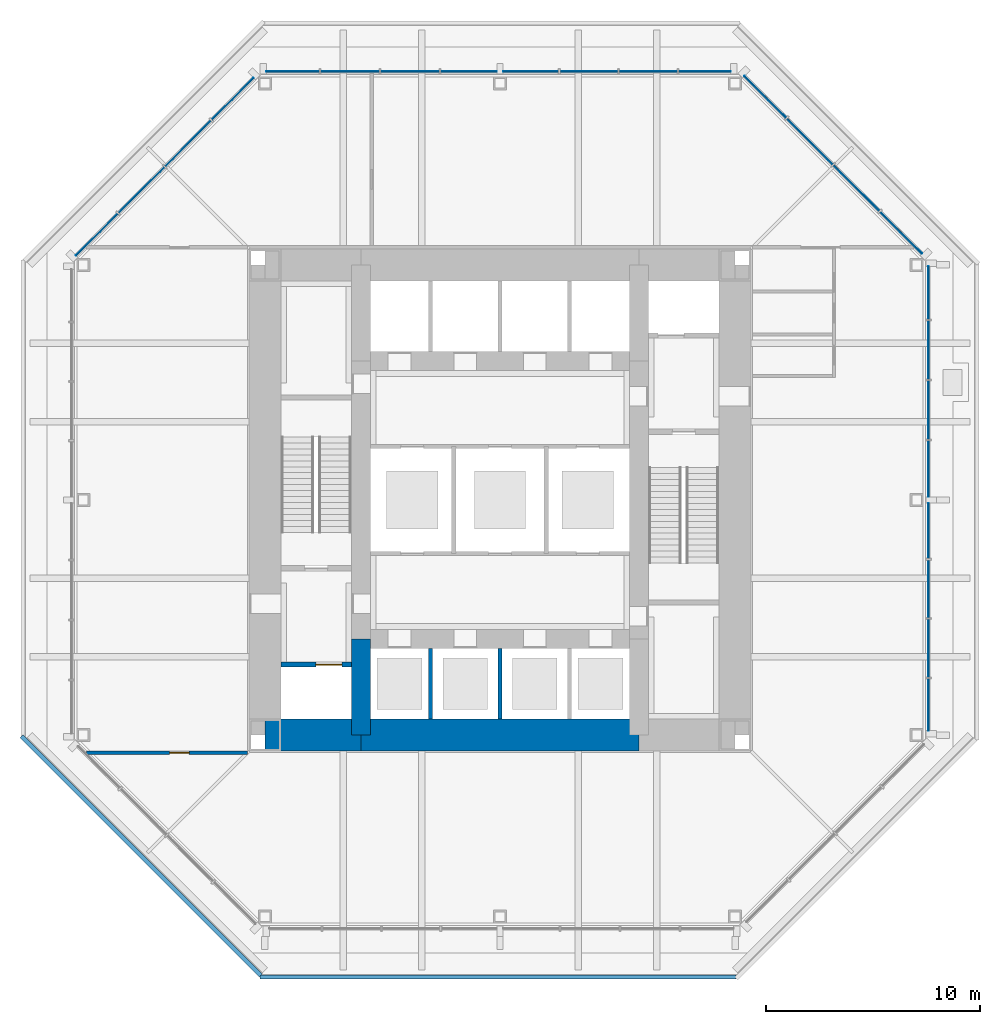
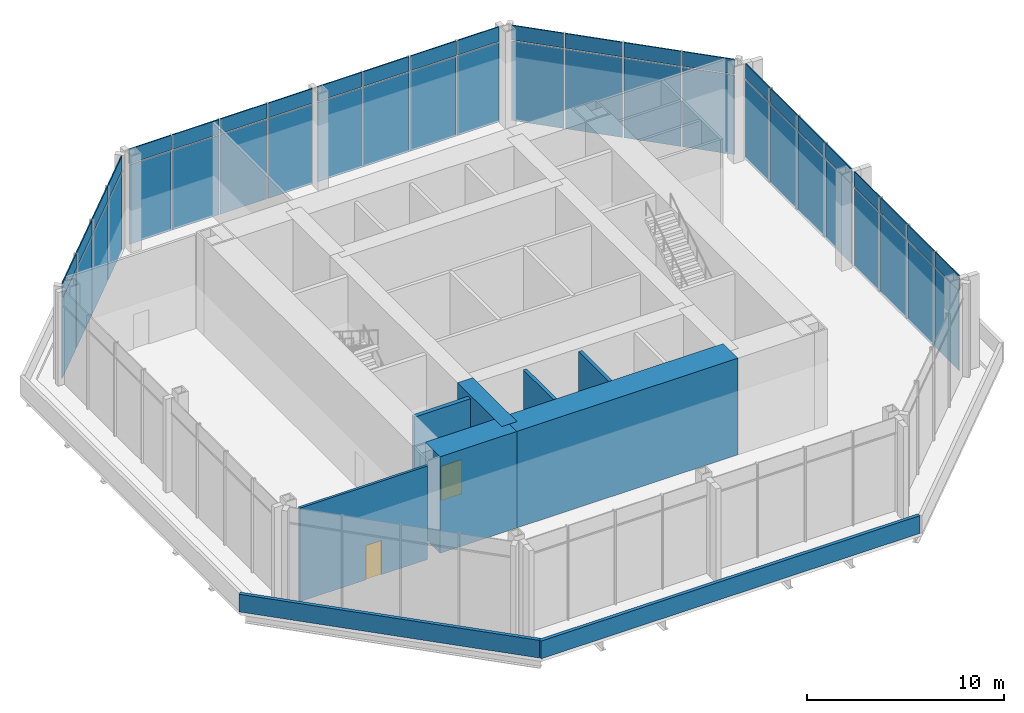
# One storey, part 6 of 10: 48 plates, 9 walls, 2 doors, 2 openings, 4 elements without a shape of their own.
"""IFC4 building model written with IfcOpenShell, lengths in metres."""

from ifc_helpers import new_model, si_unit, direction, frame, frame_2d, origin, origin_2d, place, context, subcontext, project, spatial, rectangle, extrude, material, layer, layer_set, type_object, element, fill, aggregate, save


model = new_model("IFC4")

# Units and contexts
model_context = context("Model", 3, precision=1e-05, world=origin(), true_north=direction((0.0, 1.0)))
body_context = subcontext(model_context, "Body", "Model", "MODEL_VIEW")
ifc_project = project(units=[si_unit("LENGTHUNIT", "METRE"), si_unit("AREAUNIT", "SQUARE_METRE"), si_unit("VOLUMEUNIT", "CUBIC_METRE"), si_unit("PLANEANGLEUNIT", "RADIAN"), si_unit("MASSUNIT", "GRAM", prefix="KILO")], contexts=[model_context])

# Site, building, storey
site_placement = place(None, origin())
site = spatial("IfcSite", under=ifc_project, at=site_placement, CompositionType="ELEMENT")
building_placement = place(site_placement, origin())
building = spatial("IfcBuilding", under=site, at=building_placement, Name="Trevanion Tower", CompositionType="ELEMENT")
storey_placement = place(building_placement, frame((0.0, 0.0, 184.699951171875)))
storey = spatial("IfcBuildingStorey", under=building, at=storey_placement, Name="L43", CompositionType="ELEMENT", Elevation=184.699951171875)

# Curtain wall, plates
ifc_material_1 = material(Name="Aluminium and glass", Category="aluminium")
curtain_wall_type = type_object("IfcCurtainWallType", Name="CW3 curtain wall", PredefinedType="USERDEFINED", material=ifc_material_1)
curtain_wall_1_placement = place(storey_placement, origin())
curtain_wall_1 = element("IfcCurtainWall", 1, at=curtain_wall_1_placement, inside=storey, type_object=curtain_wall_type, Name="CW3 L43 0", ObjectType="UNITISED CURTAIN WALL", PredefinedType="USERDEFINED")
ifc_material_2 = material(Name="Aluminium spandrel panel", Category="aluminium")
ifc_layer_1 = layer(ifc_material_2, 0.06005859375)
ifc_layer_set_1 = layer_set([ifc_layer_1], Name="CW3 spandrel panel")
plate_type_1 = type_object("IfcPlateType", Name="CW3 spandrel panel", PredefinedType="CURTAIN_PANEL", material=ifc_layer_set_1)
plate_1_placement = place(storey_placement, frame((20.050048828125, -9.579345703125, 4.8974609375), z_axis=(0.0, 0.0, 1.0), x_axis=(0.0, 1.0, 0.0)))
plate_1 = element("IfcPlate", 2, at=plate_1_placement, type_object=plate_type_1, Name="CW3 panel 1.2", PredefinedType="CURTAIN_PANEL", context=body_context, shape_type="SweptSolid", body=[
    extrude(rectangle(XDim=2.43701171875, YDim=0.06005859375, at=origin_2d()), origin(), (0.0, 0.0, 1.0), 0.91259765625),
])
plate_2_placement = place(storey_placement, frame((20.050048828125, -6.93603515625, 4.8974609375), z_axis=(0.0, 0.0, 1.0), x_axis=(0.0, 1.0, 0.0)))
plate_2 = element("IfcPlate", 3, at=plate_2_placement, type_object=plate_type_1, Name="CW3 panel 2.2", PredefinedType="CURTAIN_PANEL", context=body_context, shape_type="SweptSolid", body=[
    extrude(rectangle(XDim=2.699462890625, YDim=0.06005859375, at=origin_2d()), origin(), (0.0, 0.0, 1.0), 0.91259765625),
])
plate_3_placement = place(storey_placement, frame((20.050048828125, -4.16162109375, 4.8974609375), z_axis=(0.0, 0.0, 1.0), x_axis=(0.0, 1.0, 0.0)))
plate_3 = element("IfcPlate", 4, at=plate_3_placement, type_object=plate_type_1, Name="CW3 panel 3.2", PredefinedType="CURTAIN_PANEL", context=body_context, shape_type="SweptSolid", body=[
    extrude(rectangle(XDim=2.699462890625, YDim=0.06005859375, at=origin_2d()), origin(), (0.0, 0.0, 1.0), 0.91259765625),
])
plate_4_placement = place(storey_placement, frame((20.050048828125, -1.443603515625, 4.8974609375), z_axis=(0.0, 0.0, 1.0), x_axis=(0.0, 1.0, 0.0)))
plate_4 = element("IfcPlate", 5, at=plate_4_placement, type_object=plate_type_1, Name="CW3 panel 4.2", PredefinedType="CURTAIN_PANEL", context=body_context, shape_type="SweptSolid", body=[
    extrude(rectangle(XDim=2.5869140625, YDim=0.06005859375, at=origin_2d()), origin(), (0.0, 0.0, 1.0), 0.91259765625),
])
plate_5_placement = place(storey_placement, frame((20.050048828125, 1.459716796875, 4.8974609375), z_axis=(0.0, 0.0, 1.0), x_axis=(0.0, 1.0, 0.0)))
plate_5 = element("IfcPlate", 6, at=plate_5_placement, type_object=plate_type_1, Name="CW3 panel 5.2", PredefinedType="CURTAIN_PANEL", context=body_context, shape_type="SweptSolid", body=[
    extrude(rectangle(XDim=2.619384765625, YDim=0.06005859375, at=origin_2d()), origin(), (0.0, 0.0, 1.0), 0.91259765625),
])
plate_6_placement = place(storey_placement, frame((20.050048828125, 4.21044921875, 4.8974609375), z_axis=(0.0, 0.0, 1.0), x_axis=(0.0, 1.0, 0.0)))
plate_6 = element("IfcPlate", 7, at=plate_6_placement, type_object=plate_type_1, Name="CW3 panel 6.2", PredefinedType="CURTAIN_PANEL", context=body_context, shape_type="SweptSolid", body=[
    extrude(rectangle(XDim=2.73193359375, YDim=0.06005859375, at=origin_2d()), origin(), (0.0, 0.0, 1.0), 0.91259765625),
])
plate_7_placement = place(storey_placement, frame((20.050048828125, 7.017333984375, 4.8974609375), z_axis=(0.0, 0.0, 1.0), x_axis=(0.0, 1.0, 0.0)))
plate_7 = element("IfcPlate", 8, at=plate_7_placement, type_object=plate_type_1, Name="CW3 panel 7.2", PredefinedType="CURTAIN_PANEL", context=body_context, shape_type="SweptSolid", body=[
    extrude(rectangle(XDim=2.73193359375, YDim=0.06005859375, at=origin_2d()), origin(), (0.0, 0.0, 1.0), 0.91259765625),
])
plate_8_placement = place(storey_placement, frame((20.050048828125, 9.693115234375, 4.8974609375), z_axis=(0.0, 0.0, 1.0), x_axis=(0.0, 1.0, 0.0)))
plate_8 = element("IfcPlate", 9, at=plate_8_placement, type_object=plate_type_1, Name="CW3 panel 8.2", PredefinedType="CURTAIN_PANEL", context=body_context, shape_type="SweptSolid", body=[
    extrude(rectangle(XDim=2.469482421875, YDim=0.06005859375, at=origin_2d()), origin(), (0.0, 0.0, 1.0), 0.91259765625),
])

curtain_wall_2_placement = place(storey_placement, origin())
curtain_wall_2 = element("IfcCurtainWall", 10, at=curtain_wall_2_placement, inside=storey, type_object=curtain_wall_type, Name="CW3 L43 1", ObjectType="UNITISED CURTAIN WALL", PredefinedType="USERDEFINED")
plate_9_placement = place(storey_placement, frame((18.77392578125, 12.50390625, 4.8974609375), z_axis=(0.0, 0.0, 1.0), x_axis=(-0.707106781187, 0.707106781187, 0.0)))
plate_9 = element("IfcPlate", 11, at=plate_9_placement, type_object=plate_type_1, Name="CW3 panel 1.2", PredefinedType="CURTAIN_PANEL", context=body_context, shape_type="SweptSolid", body=[
    extrude(rectangle(XDim=2.7490234375, YDim=0.06005859375, at=origin_2d()), origin(), (0.0, 0.0, 1.0), 0.91259765625),
])
plate_10_placement = place(storey_placement, frame((16.68408203125, 14.593505859375, 4.8974609375), z_axis=(0.0, 0.0, 1.0), x_axis=(-0.707106781187, 0.707106781187, 0.0)))
plate_10 = element("IfcPlate", 12, at=plate_10_placement, type_object=plate_type_1, Name="CW3 panel 2.2", PredefinedType="CURTAIN_PANEL", context=body_context, shape_type="SweptSolid", body=[
    extrude(rectangle(XDim=3.01171875, YDim=0.06005859375, at=origin_2d()), origin(), (0.0, 0.0, 1.0), 0.91259765625),
])
plate_11_placement = place(storey_placement, frame((14.501708984375, 16.776123046875, 4.8974609375), z_axis=(0.0, 0.0, 1.0), x_axis=(-0.707106781187, 0.707106781187, 0.0)))
plate_11 = element("IfcPlate", 13, at=plate_11_placement, type_object=plate_type_1, Name="CW3 panel 3.2", PredefinedType="CURTAIN_PANEL", context=body_context, shape_type="SweptSolid", body=[
    extrude(rectangle(XDim=3.01171875, YDim=0.06005859375, at=origin_2d()), origin(), (0.0, 0.0, 1.0), 0.91259765625),
])
plate_12_placement = place(storey_placement, frame((12.411865234375, 18.865966796875, 4.8974609375), z_axis=(0.0, 0.0, 1.0), x_axis=(-0.707106781187, 0.707106781187, 0.0)))
plate_12 = element("IfcPlate", 14, at=plate_12_placement, type_object=plate_type_1, Name="CW3 panel 4.2", PredefinedType="CURTAIN_PANEL", context=body_context, shape_type="SweptSolid", body=[
    extrude(rectangle(XDim=2.7490234375, YDim=0.06005859375, at=origin_2d()), origin(), (0.0, 0.0, 1.0), 0.91259765625),
])

curtain_wall_3_placement = place(storey_placement, origin())
curtain_wall_3 = element("IfcCurtainWall", 15, at=curtain_wall_3_placement, inside=storey, type_object=curtain_wall_type, Name="CW3 L43 2", ObjectType="UNITISED CURTAIN WALL", PredefinedType="USERDEFINED")
plate_13_placement = place(storey_placement, frame((9.579345703125, 20.050048828125, 4.8974609375), z_axis=(0.0, 0.0, 1.0), x_axis=(-1.0, 0.0, 0.0)))
plate_13 = element("IfcPlate", 16, at=plate_13_placement, type_object=plate_type_1, Name="CW3 panel 1.2", PredefinedType="CURTAIN_PANEL", context=body_context, shape_type="SweptSolid", body=[
    extrude(rectangle(XDim=2.43701171875, YDim=0.06005859375, at=origin_2d()), origin(), (0.0, 0.0, 1.0), 0.91259765625),
])
plate_14_placement = place(storey_placement, frame((6.93603515625, 20.050048828125, 4.8974609375), z_axis=(0.0, 0.0, 1.0), x_axis=(-1.0, 0.0, 0.0)))
plate_14 = element("IfcPlate", 17, at=plate_14_placement, type_object=plate_type_1, Name="CW3 panel 2.2", PredefinedType="CURTAIN_PANEL", context=body_context, shape_type="SweptSolid", body=[
    extrude(rectangle(XDim=2.699462890625, YDim=0.06005859375, at=origin_2d()), origin(), (0.0, 0.0, 1.0), 0.91259765625),
])
plate_15_placement = place(storey_placement, frame((4.16162109375, 20.050048828125, 4.8974609375), z_axis=(0.0, 0.0, 1.0), x_axis=(-1.0, 0.0, 0.0)))
plate_15 = element("IfcPlate", 18, at=plate_15_placement, type_object=plate_type_1, Name="CW3 panel 3.2", PredefinedType="CURTAIN_PANEL", context=body_context, shape_type="SweptSolid", body=[
    extrude(rectangle(XDim=2.699462890625, YDim=0.06005859375, at=origin_2d()), origin(), (0.0, 0.0, 1.0), 0.91259765625),
])
plate_16_placement = place(storey_placement, frame((1.443603515625, 20.050048828125, 4.8974609375), z_axis=(0.0, 0.0, 1.0), x_axis=(-1.0, 0.0, 0.0)))
plate_16 = element("IfcPlate", 19, at=plate_16_placement, type_object=plate_type_1, Name="CW3 panel 4.2", PredefinedType="CURTAIN_PANEL", context=body_context, shape_type="SweptSolid", body=[
    extrude(rectangle(XDim=2.5869140625, YDim=0.06005859375, at=origin_2d()), origin(), (0.0, 0.0, 1.0), 0.91259765625),
])
plate_17_placement = place(storey_placement, frame((-1.459716796875, 20.050048828125, 4.8974609375), z_axis=(0.0, 0.0, 1.0), x_axis=(-1.0, 0.0, 0.0)))
plate_17 = element("IfcPlate", 20, at=plate_17_placement, type_object=plate_type_1, Name="CW3 panel 5.2", PredefinedType="CURTAIN_PANEL", context=body_context, shape_type="SweptSolid", body=[
    extrude(rectangle(XDim=2.619384765625, YDim=0.06005859375, at=origin_2d()), origin(), (0.0, 0.0, 1.0), 0.91259765625),
])
plate_18_placement = place(storey_placement, frame((-4.21044921875, 20.050048828125, 4.8974609375), z_axis=(0.0, 0.0, 1.0), x_axis=(-1.0, 0.0, 0.0)))
plate_18 = element("IfcPlate", 21, at=plate_18_placement, type_object=plate_type_1, Name="CW3 panel 6.2", PredefinedType="CURTAIN_PANEL", context=body_context, shape_type="SweptSolid", body=[
    extrude(rectangle(XDim=2.73193359375, YDim=0.06005859375, at=origin_2d()), origin(), (0.0, 0.0, 1.0), 0.91259765625),
])
plate_19_placement = place(storey_placement, frame((-7.017333984375, 20.050048828125, 4.8974609375), z_axis=(0.0, 0.0, 1.0), x_axis=(-1.0, 0.0, 0.0)))
plate_19 = element("IfcPlate", 22, at=plate_19_placement, type_object=plate_type_1, Name="CW3 panel 7.2", PredefinedType="CURTAIN_PANEL", context=body_context, shape_type="SweptSolid", body=[
    extrude(rectangle(XDim=2.73193359375, YDim=0.06005859375, at=origin_2d()), origin(), (0.0, 0.0, 1.0), 0.91259765625),
])
plate_20_placement = place(storey_placement, frame((-9.693115234375, 20.050048828125, 4.8974609375), z_axis=(0.0, 0.0, 1.0), x_axis=(-1.0, 0.0, 0.0)))
plate_20 = element("IfcPlate", 23, at=plate_20_placement, type_object=plate_type_1, Name="CW3 panel 8.2", PredefinedType="CURTAIN_PANEL", context=body_context, shape_type="SweptSolid", body=[
    extrude(rectangle(XDim=2.469482421875, YDim=0.06005859375, at=origin_2d()), origin(), (0.0, 0.0, 1.0), 0.91259765625),
])

curtain_wall_4_placement = place(storey_placement, origin())
curtain_wall_4 = element("IfcCurtainWall", 24, at=curtain_wall_4_placement, inside=storey, type_object=curtain_wall_type, Name="CW3 L43 3", ObjectType="UNITISED CURTAIN WALL", PredefinedType="USERDEFINED")
plate_21_placement = place(storey_placement, frame((-12.50390625, 18.77392578125, 4.8974609375), z_axis=(0.0, 0.0, 1.0), x_axis=(-0.707106781187, -0.707106781187, 0.0)))
plate_21 = element("IfcPlate", 25, at=plate_21_placement, type_object=plate_type_1, Name="CW3 panel 1.2", PredefinedType="CURTAIN_PANEL", context=body_context, shape_type="SweptSolid", body=[
    extrude(rectangle(XDim=2.7490234375, YDim=0.06005859375, at=origin_2d()), origin(), (0.0, 0.0, 1.0), 0.91259765625),
])
plate_22_placement = place(storey_placement, frame((-14.593505859375, 16.68408203125, 4.8974609375), z_axis=(0.0, 0.0, 1.0), x_axis=(-0.707106781187, -0.707106781187, 0.0)))
plate_22 = element("IfcPlate", 26, at=plate_22_placement, type_object=plate_type_1, Name="CW3 panel 2.2", PredefinedType="CURTAIN_PANEL", context=body_context, shape_type="SweptSolid", body=[
    extrude(rectangle(XDim=3.01171875, YDim=0.06005859375, at=origin_2d()), origin(), (0.0, 0.0, 1.0), 0.91259765625),
])
plate_23_placement = place(storey_placement, frame((-16.776123046875, 14.501708984375, 4.8974609375), z_axis=(0.0, 0.0, 1.0), x_axis=(-0.707106781187, -0.707106781187, 0.0)))
plate_23 = element("IfcPlate", 27, at=plate_23_placement, type_object=plate_type_1, Name="CW3 panel 3.2", PredefinedType="CURTAIN_PANEL", context=body_context, shape_type="SweptSolid", body=[
    extrude(rectangle(XDim=3.01171875, YDim=0.06005859375, at=origin_2d()), origin(), (0.0, 0.0, 1.0), 0.91259765625),
])
plate_24_placement = place(storey_placement, frame((-18.865966796875, 12.411865234375, 4.8974609375), z_axis=(0.0, 0.0, 1.0), x_axis=(-0.707106781187, -0.707106781187, 0.0)))
plate_24 = element("IfcPlate", 28, at=plate_24_placement, type_object=plate_type_1, Name="CW3 panel 4.2", PredefinedType="CURTAIN_PANEL", context=body_context, shape_type="SweptSolid", body=[
    extrude(rectangle(XDim=2.7490234375, YDim=0.06005859375, at=origin_2d()), origin(), (0.0, 0.0, 1.0), 0.91259765625),
])

# Plate
ifc_material_3 = material(Name="Insulating glass unit", Category="glass")
ifc_layer_2 = layer(ifc_material_3, 0.028076171875)
ifc_layer_set_2 = layer_set([ifc_layer_2], Name="CW3 vision panel")
plate_type_2 = type_object("IfcPlateType", Name="CW3 vision panel", PredefinedType="CURTAIN_PANEL", material=ifc_layer_set_2)
plate_25_placement = place(storey_placement, frame((20.050048828125, -9.579345703125, -0.114990234375), z_axis=(0.0, 0.0, 1.0), x_axis=(0.0, 1.0, 0.0)))
plate_25 = element("IfcPlate", 29, at=plate_25_placement, type_object=plate_type_2, Name="CW3 panel 1.1", PredefinedType="CURTAIN_PANEL", context=body_context, shape_type="SweptSolid", body=[
    extrude(rectangle(XDim=2.43701171875, YDim=0.028076171875, at=origin_2d()), origin(), (0.0, 0.0, 1.0), 4.9375),
])

plate_26_placement = place(storey_placement, frame((20.050048828125, -6.93603515625, -0.114990234375), z_axis=(0.0, 0.0, 1.0), x_axis=(0.0, 1.0, 0.0)))
plate_26 = element("IfcPlate", 30, at=plate_26_placement, type_object=plate_type_2, Name="CW3 panel 2.1", PredefinedType="CURTAIN_PANEL", context=body_context, shape_type="SweptSolid", body=[
    extrude(rectangle(XDim=2.699462890625, YDim=0.028076171875, at=origin_2d()), origin(), (0.0, 0.0, 1.0), 4.9375),
])

plate_27_placement = place(storey_placement, frame((20.050048828125, -4.16162109375, -0.114990234375), z_axis=(0.0, 0.0, 1.0), x_axis=(0.0, 1.0, 0.0)))
plate_27 = element("IfcPlate", 31, at=plate_27_placement, type_object=plate_type_2, Name="CW3 panel 3.1", PredefinedType="CURTAIN_PANEL", context=body_context, shape_type="SweptSolid", body=[
    extrude(rectangle(XDim=2.699462890625, YDim=0.028076171875, at=origin_2d()), origin(), (0.0, 0.0, 1.0), 4.9375),
])

plate_28_placement = place(storey_placement, frame((20.050048828125, -1.443603515625, -0.114990234375), z_axis=(0.0, 0.0, 1.0), x_axis=(0.0, 1.0, 0.0)))
plate_28 = element("IfcPlate", 32, at=plate_28_placement, type_object=plate_type_2, Name="CW3 panel 4.1", PredefinedType="CURTAIN_PANEL", context=body_context, shape_type="SweptSolid", body=[
    extrude(rectangle(XDim=2.5869140625, YDim=0.028076171875, at=origin_2d()), origin(), (0.0, 0.0, 1.0), 4.9375),
])

plate_29_placement = place(storey_placement, frame((20.050048828125, 1.459716796875, -0.114990234375), z_axis=(0.0, 0.0, 1.0), x_axis=(0.0, 1.0, 0.0)))
plate_29 = element("IfcPlate", 33, at=plate_29_placement, type_object=plate_type_2, Name="CW3 panel 5.1", PredefinedType="CURTAIN_PANEL", context=body_context, shape_type="SweptSolid", body=[
    extrude(rectangle(XDim=2.619384765625, YDim=0.028076171875, at=origin_2d()), origin(), (0.0, 0.0, 1.0), 4.9375),
])

plate_30_placement = place(storey_placement, frame((20.050048828125, 4.21044921875, -0.114990234375), z_axis=(0.0, 0.0, 1.0), x_axis=(0.0, 1.0, 0.0)))
plate_30 = element("IfcPlate", 34, at=plate_30_placement, type_object=plate_type_2, Name="CW3 panel 6.1", PredefinedType="CURTAIN_PANEL", context=body_context, shape_type="SweptSolid", body=[
    extrude(rectangle(XDim=2.73193359375, YDim=0.028076171875, at=origin_2d()), origin(), (0.0, 0.0, 1.0), 4.9375),
])

plate_31_placement = place(storey_placement, frame((20.050048828125, 7.017333984375, -0.114990234375), z_axis=(0.0, 0.0, 1.0), x_axis=(0.0, 1.0, 0.0)))
plate_31 = element("IfcPlate", 35, at=plate_31_placement, type_object=plate_type_2, Name="CW3 panel 7.1", PredefinedType="CURTAIN_PANEL", context=body_context, shape_type="SweptSolid", body=[
    extrude(rectangle(XDim=2.73193359375, YDim=0.028076171875, at=origin_2d()), origin(), (0.0, 0.0, 1.0), 4.9375),
])

plate_32_placement = place(storey_placement, frame((20.050048828125, 9.693115234375, -0.114990234375), z_axis=(0.0, 0.0, 1.0), x_axis=(0.0, 1.0, 0.0)))
plate_32 = element("IfcPlate", 36, at=plate_32_placement, type_object=plate_type_2, Name="CW3 panel 8.1", PredefinedType="CURTAIN_PANEL", context=body_context, shape_type="SweptSolid", body=[
    extrude(rectangle(XDim=2.469482421875, YDim=0.028076171875, at=origin_2d()), origin(), (0.0, 0.0, 1.0), 4.9375),
])

aggregate(curtain_wall_1, [plate_25, plate_1, plate_26, plate_2, plate_27, plate_3, plate_28, plate_4, plate_29, plate_5, plate_30, plate_6, plate_31, plate_7, plate_32, plate_8])

plate_33_placement = place(storey_placement, frame((18.77392578125, 12.50390625, -0.114990234375), z_axis=(0.0, 0.0, 1.0), x_axis=(-0.707106781187, 0.707106781187, 0.0)))
plate_33 = element("IfcPlate", 37, at=plate_33_placement, type_object=plate_type_2, Name="CW3 panel 1.1", PredefinedType="CURTAIN_PANEL", context=body_context, shape_type="SweptSolid", body=[
    extrude(rectangle(XDim=2.7490234375, YDim=0.028076171875, at=origin_2d()), origin(), (0.0, 0.0, 1.0), 4.9375),
])

plate_34_placement = place(storey_placement, frame((16.68408203125, 14.593505859375, -0.114990234375), z_axis=(0.0, 0.0, 1.0), x_axis=(-0.707106781187, 0.707106781187, 0.0)))
plate_34 = element("IfcPlate", 38, at=plate_34_placement, type_object=plate_type_2, Name="CW3 panel 2.1", PredefinedType="CURTAIN_PANEL", context=body_context, shape_type="SweptSolid", body=[
    extrude(rectangle(XDim=3.01171875, YDim=0.028076171875, at=origin_2d()), origin(), (0.0, 0.0, 1.0), 4.9375),
])

plate_35_placement = place(storey_placement, frame((14.501708984375, 16.776123046875, -0.114990234375), z_axis=(0.0, 0.0, 1.0), x_axis=(-0.707106781187, 0.707106781187, 0.0)))
plate_35 = element("IfcPlate", 39, at=plate_35_placement, type_object=plate_type_2, Name="CW3 panel 3.1", PredefinedType="CURTAIN_PANEL", context=body_context, shape_type="SweptSolid", body=[
    extrude(rectangle(XDim=3.01171875, YDim=0.028076171875, at=origin_2d()), origin(), (0.0, 0.0, 1.0), 4.9375),
])

plate_36_placement = place(storey_placement, frame((12.411865234375, 18.865966796875, -0.114990234375), z_axis=(0.0, 0.0, 1.0), x_axis=(-0.707106781187, 0.707106781187, 0.0)))
plate_36 = element("IfcPlate", 40, at=plate_36_placement, type_object=plate_type_2, Name="CW3 panel 4.1", PredefinedType="CURTAIN_PANEL", context=body_context, shape_type="SweptSolid", body=[
    extrude(rectangle(XDim=2.7490234375, YDim=0.028076171875, at=origin_2d()), origin(), (0.0, 0.0, 1.0), 4.9375),
])

aggregate(curtain_wall_2, [plate_33, plate_9, plate_34, plate_10, plate_35, plate_11, plate_36, plate_12])

plate_37_placement = place(storey_placement, frame((9.579345703125, 20.050048828125, -0.114990234375), z_axis=(0.0, 0.0, 1.0), x_axis=(-1.0, 0.0, 0.0)))
plate_37 = element("IfcPlate", 41, at=plate_37_placement, type_object=plate_type_2, Name="CW3 panel 1.1", PredefinedType="CURTAIN_PANEL", context=body_context, shape_type="SweptSolid", body=[
    extrude(rectangle(XDim=2.43701171875, YDim=0.028076171875, at=origin_2d()), origin(), (0.0, 0.0, 1.0), 4.9375),
])

plate_38_placement = place(storey_placement, frame((6.93603515625, 20.050048828125, -0.114990234375), z_axis=(0.0, 0.0, 1.0), x_axis=(-1.0, 0.0, 0.0)))
plate_38 = element("IfcPlate", 42, at=plate_38_placement, type_object=plate_type_2, Name="CW3 panel 2.1", PredefinedType="CURTAIN_PANEL", context=body_context, shape_type="SweptSolid", body=[
    extrude(rectangle(XDim=2.699462890625, YDim=0.028076171875, at=origin_2d()), origin(), (0.0, 0.0, 1.0), 4.9375),
])

plate_39_placement = place(storey_placement, frame((4.16162109375, 20.050048828125, -0.114990234375), z_axis=(0.0, 0.0, 1.0), x_axis=(-1.0, 0.0, 0.0)))
plate_39 = element("IfcPlate", 43, at=plate_39_placement, type_object=plate_type_2, Name="CW3 panel 3.1", PredefinedType="CURTAIN_PANEL", context=body_context, shape_type="SweptSolid", body=[
    extrude(rectangle(XDim=2.699462890625, YDim=0.028076171875, at=origin_2d()), origin(), (0.0, 0.0, 1.0), 4.9375),
])

plate_40_placement = place(storey_placement, frame((1.443603515625, 20.050048828125, -0.114990234375), z_axis=(0.0, 0.0, 1.0), x_axis=(-1.0, 0.0, 0.0)))
plate_40 = element("IfcPlate", 44, at=plate_40_placement, type_object=plate_type_2, Name="CW3 panel 4.1", PredefinedType="CURTAIN_PANEL", context=body_context, shape_type="SweptSolid", body=[
    extrude(rectangle(XDim=2.5869140625, YDim=0.028076171875, at=origin_2d()), origin(), (0.0, 0.0, 1.0), 4.9375),
])

plate_41_placement = place(storey_placement, frame((-1.459716796875, 20.050048828125, -0.114990234375), z_axis=(0.0, 0.0, 1.0), x_axis=(-1.0, 0.0, 0.0)))
plate_41 = element("IfcPlate", 45, at=plate_41_placement, type_object=plate_type_2, Name="CW3 panel 5.1", PredefinedType="CURTAIN_PANEL", context=body_context, shape_type="SweptSolid", body=[
    extrude(rectangle(XDim=2.619384765625, YDim=0.028076171875, at=origin_2d()), origin(), (0.0, 0.0, 1.0), 4.9375),
])

plate_42_placement = place(storey_placement, frame((-4.21044921875, 20.050048828125, -0.114990234375), z_axis=(0.0, 0.0, 1.0), x_axis=(-1.0, 0.0, 0.0)))
plate_42 = element("IfcPlate", 46, at=plate_42_placement, type_object=plate_type_2, Name="CW3 panel 6.1", PredefinedType="CURTAIN_PANEL", context=body_context, shape_type="SweptSolid", body=[
    extrude(rectangle(XDim=2.73193359375, YDim=0.028076171875, at=origin_2d()), origin(), (0.0, 0.0, 1.0), 4.9375),
])

plate_43_placement = place(storey_placement, frame((-7.017333984375, 20.050048828125, -0.114990234375), z_axis=(0.0, 0.0, 1.0), x_axis=(-1.0, 0.0, 0.0)))
plate_43 = element("IfcPlate", 47, at=plate_43_placement, type_object=plate_type_2, Name="CW3 panel 7.1", PredefinedType="CURTAIN_PANEL", context=body_context, shape_type="SweptSolid", body=[
    extrude(rectangle(XDim=2.73193359375, YDim=0.028076171875, at=origin_2d()), origin(), (0.0, 0.0, 1.0), 4.9375),
])

plate_44_placement = place(storey_placement, frame((-9.693115234375, 20.050048828125, -0.114990234375), z_axis=(0.0, 0.0, 1.0), x_axis=(-1.0, 0.0, 0.0)))
plate_44 = element("IfcPlate", 48, at=plate_44_placement, type_object=plate_type_2, Name="CW3 panel 8.1", PredefinedType="CURTAIN_PANEL", context=body_context, shape_type="SweptSolid", body=[
    extrude(rectangle(XDim=2.469482421875, YDim=0.028076171875, at=origin_2d()), origin(), (0.0, 0.0, 1.0), 4.9375),
])

aggregate(curtain_wall_3, [plate_37, plate_13, plate_38, plate_14, plate_39, plate_15, plate_40, plate_16, plate_41, plate_17, plate_42, plate_18, plate_43, plate_19, plate_44, plate_20])

plate_45_placement = place(storey_placement, frame((-12.50390625, 18.77392578125, -0.114990234375), z_axis=(0.0, 0.0, 1.0), x_axis=(-0.707106781187, -0.707106781187, 0.0)))
plate_45 = element("IfcPlate", 49, at=plate_45_placement, type_object=plate_type_2, Name="CW3 panel 1.1", PredefinedType="CURTAIN_PANEL", context=body_context, shape_type="SweptSolid", body=[
    extrude(rectangle(XDim=2.7490234375, YDim=0.028076171875, at=origin_2d()), origin(), (0.0, 0.0, 1.0), 4.9375),
])

plate_46_placement = place(storey_placement, frame((-14.593505859375, 16.68408203125, -0.114990234375), z_axis=(0.0, 0.0, 1.0), x_axis=(-0.707106781187, -0.707106781187, 0.0)))
plate_46 = element("IfcPlate", 50, at=plate_46_placement, type_object=plate_type_2, Name="CW3 panel 2.1", PredefinedType="CURTAIN_PANEL", context=body_context, shape_type="SweptSolid", body=[
    extrude(rectangle(XDim=3.01171875, YDim=0.028076171875, at=origin_2d()), origin(), (0.0, 0.0, 1.0), 4.9375),
])

plate_47_placement = place(storey_placement, frame((-16.776123046875, 14.501708984375, -0.114990234375), z_axis=(0.0, 0.0, 1.0), x_axis=(-0.707106781187, -0.707106781187, 0.0)))
plate_47 = element("IfcPlate", 51, at=plate_47_placement, type_object=plate_type_2, Name="CW3 panel 3.1", PredefinedType="CURTAIN_PANEL", context=body_context, shape_type="SweptSolid", body=[
    extrude(rectangle(XDim=3.01171875, YDim=0.028076171875, at=origin_2d()), origin(), (0.0, 0.0, 1.0), 4.9375),
])

plate_48_placement = place(storey_placement, frame((-18.865966796875, 12.411865234375, -0.114990234375), z_axis=(0.0, 0.0, 1.0), x_axis=(-0.707106781187, -0.707106781187, 0.0)))
plate_48 = element("IfcPlate", 52, at=plate_48_placement, type_object=plate_type_2, Name="CW3 panel 4.1", PredefinedType="CURTAIN_PANEL", context=body_context, shape_type="SweptSolid", body=[
    extrude(rectangle(XDim=2.7490234375, YDim=0.028076171875, at=origin_2d()), origin(), (0.0, 0.0, 1.0), 4.9375),
])

aggregate(curtain_wall_4, [plate_45, plate_21, plate_46, plate_22, plate_47, plate_23, plate_48, plate_24])

# Walls
ifc_material_4 = material(Name="Concrete 10,000 psi", Category="concrete")
ifc_layer_3 = layer(ifc_material_4, 1.5)
ifc_layer_set_3 = layer_set([ifc_layer_3], Name="CW1 core wall 1500")
wall_type_1 = type_object("IfcWallType", Name="CW1 core wall 1500", PredefinedType="SHEAR", material=ifc_layer_set_3)
wall_1_placement = place(storey_placement, frame((-11.0, -11.0, 0.0), z_axis=(0.0, 0.0, 1.0), x_axis=(1.0, 0.0, 0.0)))
element("IfcWall", 53, at=wall_1_placement, inside=storey, type_object=wall_type_1, Name="CW1 CS1 L43", PredefinedType="SHEAR", context=body_context, shape_type="SweptSolid", body=[
    extrude(rectangle(XDim=4.5, YDim=1.5, at=frame_2d((2.25, 0.0))), origin(), (0.0, 0.0, 1.0), 6.0),
])
wall_2_placement = place(storey_placement, frame((-6.5, -11.0, 0.0), z_axis=(0.0, 0.0, 1.0), x_axis=(1.0, 0.0, 0.0)))
element("IfcWall", 54, at=wall_2_placement, inside=storey, type_object=wall_type_1, Name="CW1 CS2 L43", PredefinedType="SHEAR", context=body_context, shape_type="SweptSolid", body=[
    extrude(rectangle(XDim=13.0, YDim=1.5, at=frame_2d((6.5, 0.0))), origin(), (0.0, 0.0, 1.0), 6.0),
])
ifc_material_5 = material(Name="Concrete 10,000 psi", Category="concrete")
ifc_layer_4 = layer(ifc_material_5, 0.89990234375)
ifc_layer_set_4 = layer_set([ifc_layer_4], Name="CW2 core wall 900")
wall_type_2 = type_object("IfcWallType", Name="CW2 core wall 900", PredefinedType="SHEAR", material=ifc_layer_set_4)
wall_3_placement = place(storey_placement, frame((-6.5, -6.5, 0.0), z_axis=(0.0, 0.0, 1.0), x_axis=(0.0, -1.0, 0.0)))
element("IfcWall", 55, at=wall_3_placement, inside=storey, type_object=wall_type_2, Name="CW2 RW3 L43", PredefinedType="SHEAR", context=body_context, shape_type="SweptSolid", body=[
    extrude(rectangle(XDim=4.5, YDim=0.89990234375, at=frame_2d((2.25, 0.0))), origin(), (0.0, 0.0, 1.0), 6.0),
])
ifc_material_6 = material(Name="Reinforced concrete parapet faced in bronze metal coping", Category="concrete")
ifc_layer_5 = layer(ifc_material_6, 0.199951171875)
ifc_layer_set_5 = layer_set([ifc_layer_5], Name="PP1 parapet 200")
wall_type_3 = type_object("IfcWallType", Name="PP1 parapet 200", PredefinedType="PARAPET", material=ifc_layer_set_5)
wall_4_placement = place(storey_placement, frame((11.032470703125, -22.320068359375, 0.0), z_axis=(0.0, 0.0, 1.0), x_axis=(-1.0, 0.0, 0.0)))
element("IfcWall", 56, at=wall_4_placement, inside=storey, type_object=wall_type_3, Name="PP1 L43 2", PredefinedType="PARAPET", context=body_context, shape_type="SweptSolid", body=[
    extrude(rectangle(XDim=22.264892578125, YDim=0.199951171875, at=frame_2d((11.13232421875, 0.0))), origin(), (0.0, 0.0, 1.0), 1.10009765625),
])
wall_5_placement = place(storey_placement, frame((-11.203369140625, -22.249267578125, 0.0), z_axis=(0.0, 0.0, 1.0), x_axis=(-0.707099065597, 0.707114496692, 0.0)))
element("IfcWall", 57, at=wall_5_placement, inside=storey, type_object=wall_type_3, Name="PP1 L43 3", PredefinedType="PARAPET", context=body_context, shape_type="SweptSolid", body=[
    extrude(rectangle(XDim=15.8212890625, YDim=0.199951171875, at=frame_2d((7.91064453125, 0.0))), origin(), (0.0, 0.0, 1.0), 1.10009765625),
])

# Wall, opening, door
ifc_material_7 = material(Name="Gypsum board on steel studs", Category="steel")
ifc_layer_6 = layer(ifc_material_7, 0.14990234375)
ifc_layer_set_6 = layer_set([ifc_layer_6], Name="PT1 partition 150")
wall_type_4 = type_object("IfcWallType", Name="PT1 partition 150", PredefinedType="PARTITIONING", material=ifc_layer_set_6)
wall_6_placement = place(storey_placement, frame((-11.824951171875, -11.824951171875, 0.0), z_axis=(0.0, 0.0, 1.0), x_axis=(-1.0, 0.0, 0.0)))
wall_6 = element("IfcWall", 58, at=wall_6_placement, inside=storey, type_object=wall_type_4, Name="PT1 L43 HOW2", PredefinedType="PARTITIONING", context=body_context, shape_type="SweptSolid", body=[
    extrude(rectangle(XDim=7.512939453125, YDim=0.14990234375, at=frame_2d((3.75634765625, 0.0))), origin(), (0.0, 0.0, 1.0), 5.81005859375),
])
opening_1_placement = place(wall_6_placement, frame((2.717529296875, 0.0, 0.0)))
opening_1 = element("IfcOpeningElement", 59, at=opening_1_placement, cuts=wall_6, Name="Opening 43-027", PredefinedType="OPENING", context=body_context, shape_type="SweptSolid", body=[
    extrude(rectangle(XDim=0.9150390625, YDim=2.134033203125, at=frame_2d((0.45751953125, 1.06689453125))), frame((0.0, 0.0849609375, 0.0), z_axis=(0.0, -1.0, 0.0), x_axis=(1.0, 0.0, 0.0)), (0.0, 0.0, 1.0), 0.169921875),
])
ifc_material_8 = material(Name="Timber veneer, solid core", Category="wood")
door_type_1 = type_object("IfcDoorType", Name="D1 office and meeting room door", OperationType="SINGLE_SWING_LEFT", PredefinedType="DOOR", material=ifc_material_8)
door_1_placement = place(opening_1_placement, origin())
door_1 = element("IfcDoor", 60, at=door_1_placement, inside=storey, type_object=door_type_1, Name="Door 43-027", OperationType="SINGLE_SWING_LEFT", OverallHeight=2.134033203125, OverallWidth=0.9150390625, PredefinedType="DOOR", context=body_context, shape_type="SweptSolid", body=[
    extrude(rectangle(XDim=0.9150390625, YDim=2.134033203125, at=frame_2d((0.45751953125, 1.06689453125))), frame((0.0, 0.02490234375, 0.0), z_axis=(0.0, -1.0, 0.0), x_axis=(1.0, 0.0, 0.0)), (0.0, 0.0, 1.0), 0.050048828125),
])
fill(opening_1, door_1)

# Walls
ifc_material_9 = material(Name="Concrete masonry, grouted", Category="masonry")
ifc_layer_7 = layer(ifc_material_9, 0.199951171875)
ifc_layer_set_7 = layer_set([ifc_layer_7], Name="PT2 partition 200 2 HR")
wall_type_5 = type_object("IfcWallType", Name="PT2 partition 200 2 HR", PredefinedType="PARTITIONING", material=ifc_layer_set_7)
for number, where, z_axis, x_axis, name in (
    (61, (-3.25, -10.25, 0.0), (0.0, 0.0, 1.0), (0.0, 1.0, 0.0), "PT2 L43 SS0"),
    (62, (0.0, -10.25, 0.0), (0.0, 0.0, 1.0), (0.0, 1.0, 0.0), "PT2 L43 SS1"),
):
    element("IfcWall", number, at=place(storey_placement, frame(where, z_axis=z_axis, x_axis=x_axis)), inside=storey, type_object=wall_type_5, Name=name, PredefinedType="PARTITIONING", context=body_context, shape_type="SweptSolid", body=[
        extrude(rectangle(XDim=3.300048828125, YDim=0.199951171875, at=frame_2d((1.64990234375, 0.0))), origin(), (0.0, 0.0, 1.0), 5.81005859375),
    ])

# Wall, opening, door
ifc_material_10 = material(Name="Concrete masonry, grouted, two-hour", Category="masonry")
ifc_layer_8 = layer(ifc_material_10, 0.25)
ifc_layer_set_8 = layer_set([ifc_layer_8], Name="PT3 partition 250 2 HR")
wall_type_6 = type_object("IfcWallType", Name="PT3 partition 250 2 HR", PredefinedType="PARTITIONING", material=ifc_layer_set_8)
wall_7_placement = place(storey_placement, frame((-6.949951171875, -7.699951171875, 0.0), z_axis=(0.0, 0.0, 1.0), x_axis=(-1.0, 0.0, 0.0)))
wall_7 = element("IfcWall", 63, at=wall_7_placement, inside=storey, type_object=wall_type_6, Name="PT3 L43 WP3", PredefinedType="PARTITIONING", context=body_context, shape_type="SweptSolid", body=[
    extrude(rectangle(XDim=3.300048828125, YDim=0.25, at=frame_2d((1.64990234375, 0.0))), origin(), (0.0, 0.0, 1.0), 5.81005859375),
])
opening_2_placement = place(wall_7_placement, frame((0.449951171875, 0.0, 0.0)))
opening_2 = element("IfcOpeningElement", 64, at=opening_2_placement, cuts=wall_7, Name="Opening 43-008", PredefinedType="OPENING", context=body_context, shape_type="SweptSolid", body=[
    extrude(rectangle(XDim=1.218994140625, YDim=2.134033203125, at=frame_2d((0.609375, 1.06689453125))), frame((0.0, 0.135009765625, 0.0), z_axis=(0.0, -1.0, 0.0), x_axis=(1.0, 0.0, 0.0)), (0.0, 0.0, 1.0), 0.27001953125),
])
ifc_material_11 = material(Name="Stainless steel, fire rated", Category="steel")
door_type_2 = type_object("IfcDoorType", Name="LD2 fire service lift landing door", OperationType="SLIDING_TO_LEFT", PredefinedType="DOOR", material=ifc_material_11)
door_2_placement = place(opening_2_placement, origin())
door_2 = element("IfcDoor", 65, at=door_2_placement, inside=storey, type_object=door_type_2, Name="Door 43-008", OperationType="SLIDING_TO_LEFT", OverallHeight=2.134033203125, OverallWidth=1.218994140625, PredefinedType="DOOR", context=body_context, shape_type="SweptSolid", body=[
    extrude(rectangle(XDim=1.218994140625, YDim=2.134033203125, at=frame_2d((0.609375, 1.06689453125))), frame((0.0, 0.02490234375, 0.0), z_axis=(0.0, -1.0, 0.0), x_axis=(1.0, 0.0, 0.0)), (0.0, 0.0, 1.0), 0.050048828125),
])
fill(opening_2, door_2)

save(model, "model.ifc")
